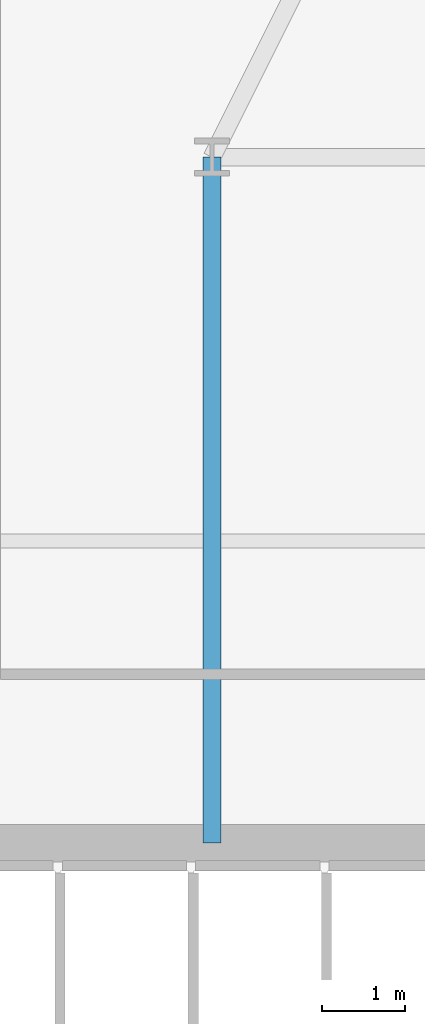
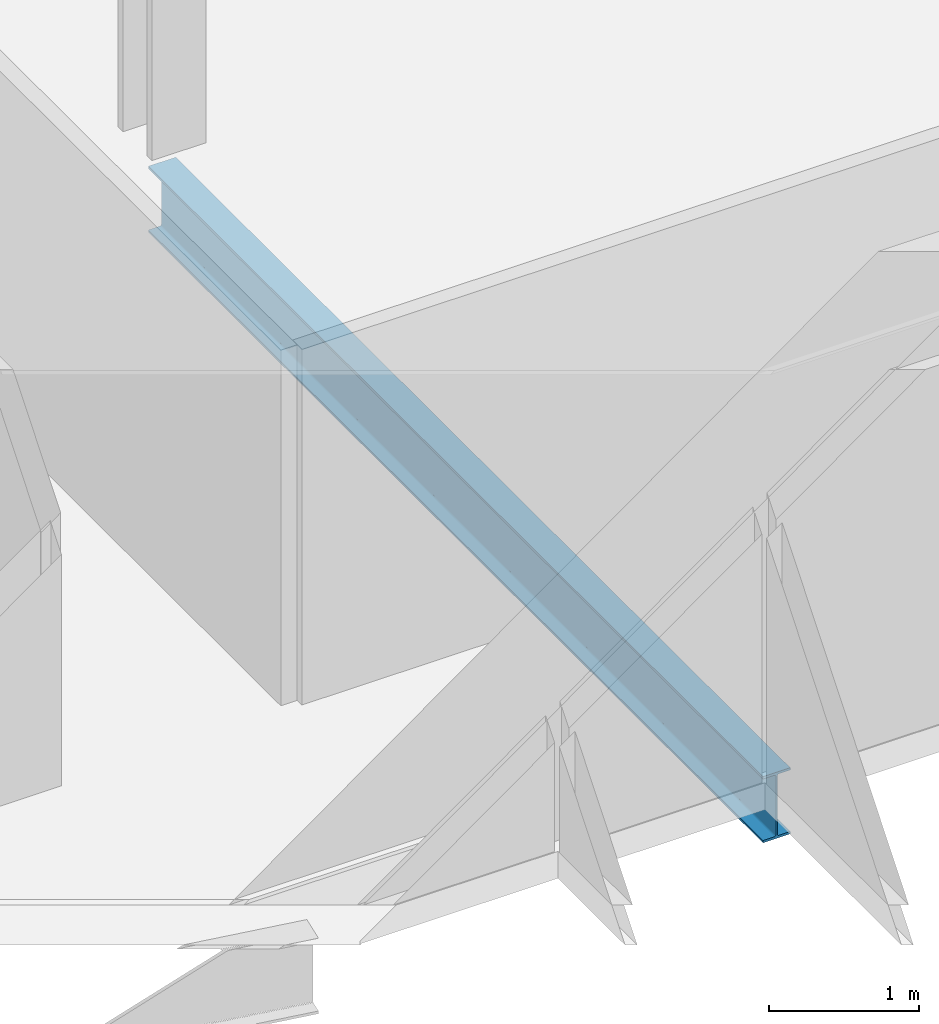
# One storey, part 5 of 33: 1 beam.
"""IFC4 building model written with IfcOpenShell, lengths in metres."""

from ifc_helpers import new_model, si_unit, direction, frame, origin, origin_2d, place, context, subcontext, project, spatial, i_section, extrude, material, material_profile, profile_set, type_object, element, save


model = new_model("IFC4")

# Units and contexts
model_context = context("Model", 3, precision=1e-05, world=origin(), true_north=direction((0.0, 1.0)))
body_context = subcontext(model_context, "Body", "Model", "MODEL_VIEW")
ifc_project = project(units=[si_unit("LENGTHUNIT", "METRE"), si_unit("AREAUNIT", "SQUARE_METRE"), si_unit("VOLUMEUNIT", "CUBIC_METRE"), si_unit("PLANEANGLEUNIT", "RADIAN"), si_unit("MASSUNIT", "GRAM", prefix="KILO")], contexts=[model_context])

# Site, building, storey
site_placement = place(None, origin())
site = spatial("IfcSite", under=ifc_project, at=site_placement, CompositionType="ELEMENT")
building_placement = place(site_placement, origin())
building = spatial("IfcBuilding", under=site, at=building_placement, Name="Ndaravel Arena Tower", CompositionType="ELEMENT")
storey_placement = place(building_placement, frame((0.0, 0.0, 36.0)))
storey = spatial("IfcBuildingStorey", under=building, at=storey_placement, Name="L06", CompositionType="ELEMENT", Elevation=36.0)

# Beam
ifc_material = material(Name="Steel S355", Category="steel")
ifc_material_profile = material_profile(ifc_material, i_section(OverallWidth=0.210693359375, OverallDepth=0.53955078125, WebThickness=0.01171875, FlangeThickness=0.018798828125, FilletRadius=0.0126953125, at=origin_2d()), Name="UB 533x210x109")
ifc_profile_set = profile_set([ifc_material_profile], Name="Steel S355")
beam_type = type_object("IfcBeamType", Name="BM-GIRD-UB533", PredefinedType="BEAM", material=ifc_profile_set)
beam_placement = place(storey_placement, frame((34.199951171875, 14.97998046875, -0.48974609375), z_axis=(0.0, 1.0, 0.0), x_axis=(-1.0, 0.0, 0.0)))
element("IfcBeam", 1, at=beam_placement, inside=storey, type_object=beam_type, Name="L06 Spine Link Girder SLG-01", PredefinedType="BEAM", context=body_context, shape_type="SweptSolid", body=[
    extrude(i_section(OverallWidth=0.210693359375, OverallDepth=0.53955078125, WebThickness=0.01171875, FlangeThickness=0.018798828125, FilletRadius=0.0126953125, at=origin_2d()), origin(), (0.0, 0.0, 1.0), 8.219970703125),
])

save(model, "model.ifc")
